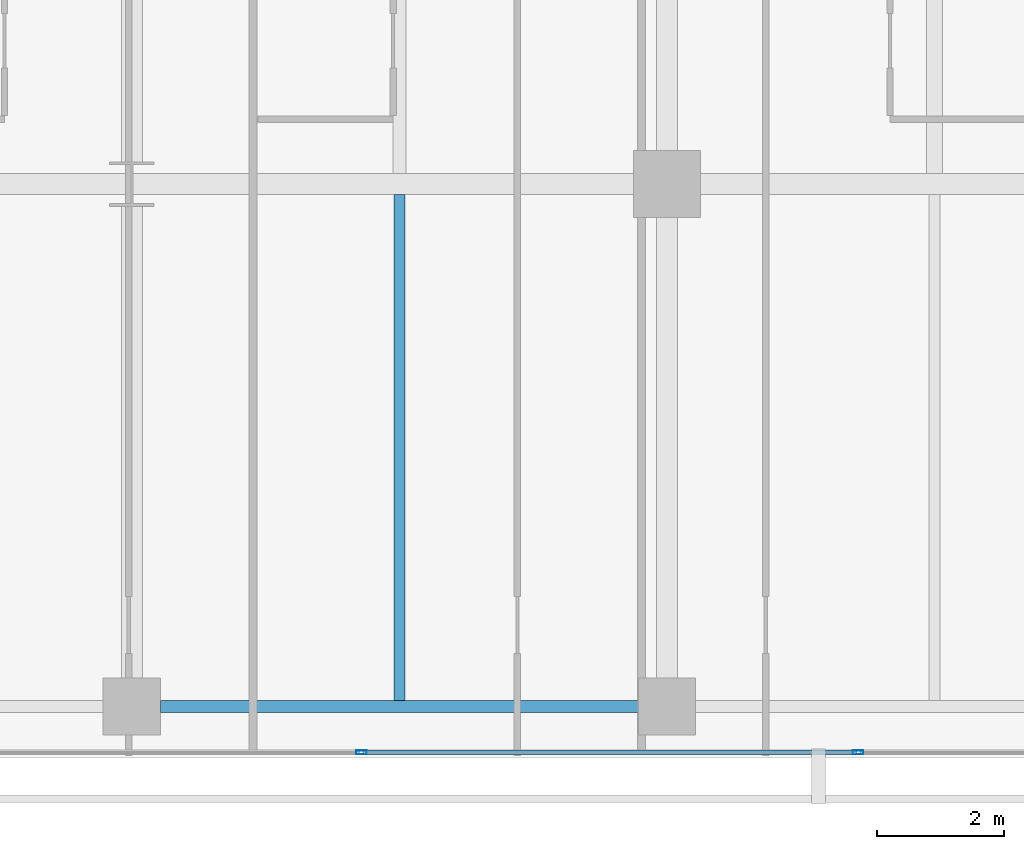
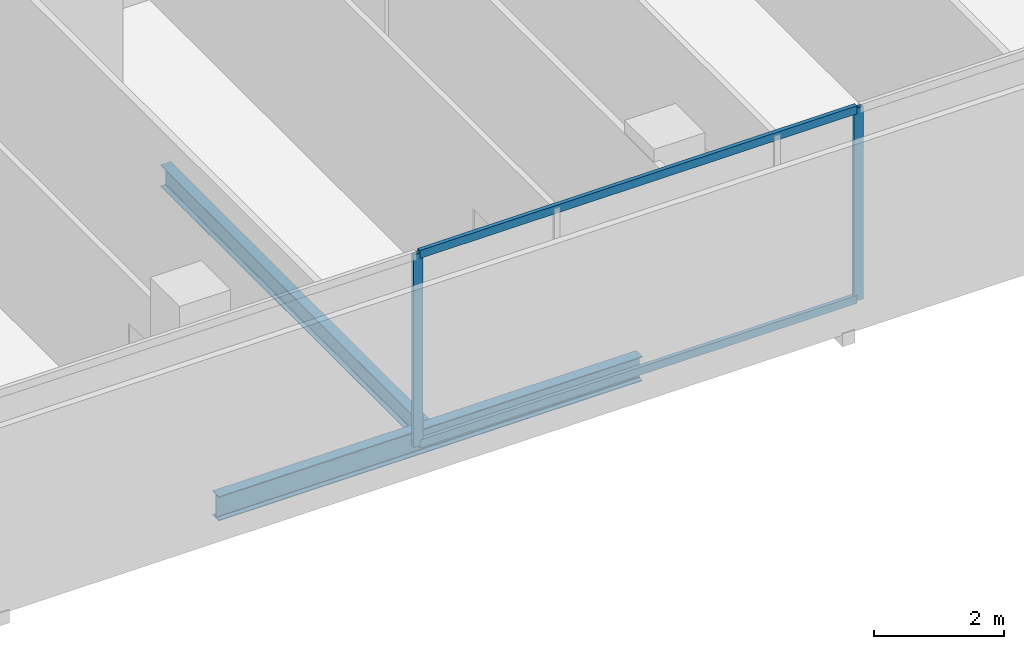
# One storey, part 14 of 40: 4 members, 2 beams, 1 element without a shape of its own.
"""IFC4 building model written with IfcOpenShell, lengths in metres."""

from ifc_helpers import new_model, si_unit, direction, frame, origin, origin_2d, place, context, subcontext, project, spatial, hollow_rectangle, i_section, extrude, material, layer, layer_set, material_profile, profile_set, type_object, element, aggregate, save


model = new_model("IFC4")

# Units and contexts
model_context = context("Model", 3, precision=1e-05, world=origin(), true_north=direction((0.0, 1.0)))
body_context = subcontext(model_context, "Body", "Model", "MODEL_VIEW")
ifc_project = project(units=[si_unit("LENGTHUNIT", "METRE"), si_unit("AREAUNIT", "SQUARE_METRE"), si_unit("VOLUMEUNIT", "CUBIC_METRE"), si_unit("PLANEANGLEUNIT", "RADIAN"), si_unit("MASSUNIT", "GRAM", prefix="KILO")], contexts=[model_context])

# Site, building, storey
site_placement = place(None, origin())
site = spatial("IfcSite", under=ifc_project, at=site_placement, CompositionType="ELEMENT")
building_placement = place(site_placement, origin())
building = spatial("IfcBuilding", under=site, at=building_placement, Name="Maruvema Waterfront Hotel and Observation Tower", CompositionType="ELEMENT")
storey_placement = place(building_placement, frame((0.0, 0.0, 30.800048828125)))
storey = spatial("IfcBuildingStorey", under=building, at=storey_placement, Name="L06", CompositionType="ELEMENT", Elevation=30.800048828125)

# Curtain wall, members
ifc_material_1 = material(Name="Anodised bronze aluminium and solar-control low-E IGU", Category="aluminium")
ifc_layer = layer(ifc_material_1, 0.159912109375, Name="Zone 1 Bronze Inner Thermal Curtain Wall System CW-02")
ifc_layer_set = layer_set([ifc_layer], Name="Anodised bronze aluminium and solar-control low-E IGU")
curtain_wall_type = type_object("IfcCurtainWallType", Name="Zone 1 Bronze Inner Thermal Curtain Wall System CW-02", PredefinedType="USERDEFINED", material=ifc_layer_set)
curtain_wall_placement = place(storey_placement, origin())
curtain_wall = element("IfcCurtainWall", 1, at=curtain_wall_placement, inside=storey, type_object=curtain_wall_type, Name="L06 Curtain Wall CW-L06-S", ObjectType="UNITISED CURTAIN WALL", PredefinedType="USERDEFINED")
ifc_material_2 = material(Name="Anodised architectural bronze aluminium", Category="aluminium")
ifc_material_profile_1 = material_profile(ifc_material_2, hollow_rectangle(XDim=0.070068359375, YDim=0.14990234375, WallThickness=0.00390625, at=origin_2d()), Name="ALU-T70x150")
ifc_profile_set_1 = profile_set([ifc_material_profile_1], Name="Anodised architectural bronze aluminium")
member_type_1 = type_object("IfcMemberType", Name="Curtain Wall Horizontal Transom ALU-T70x150", PredefinedType="USERDEFINED", material=ifc_profile_set_1)
member_1_placement = place(storey_placement, frame((45.6298828125, 0.080078125, 0.030029296875), z_axis=(1.0, 0.0, 0.0), x_axis=(0.0, 1.0, 0.0)))
member_1 = element("IfcMember", 2, at=member_1_placement, type_object=member_type_1, Name="CW-02 transom 5.1", ObjectType="TRANSOM", PredefinedType="USERDEFINED", context=body_context, shape_type="SweptSolid", body=[
    extrude(hollow_rectangle(XDim=0.070068359375, YDim=0.14990234375, WallThickness=0.00390625, at=origin_2d()), origin(), (0.0, 0.0, 1.0), 7.740234375),
])
member_2_placement = place(storey_placement, frame((45.6298828125, 0.080078125, 3.579833984375), z_axis=(1.0, 0.0, 0.0), x_axis=(0.0, 1.0, 0.0)))
member_2 = element("IfcMember", 3, at=member_2_placement, type_object=member_type_1, Name="CW-02 transom 5.2", ObjectType="TRANSOM", PredefinedType="USERDEFINED", context=body_context, shape_type="SweptSolid", body=[
    extrude(hollow_rectangle(XDim=0.070068359375, YDim=0.14990234375, WallThickness=0.00390625, at=origin_2d()), origin(), (0.0, 0.0, 1.0), 7.740234375),
])
ifc_material_3 = material(Name="Anodised architectural bronze aluminium", Category="aluminium")
ifc_material_profile_2 = material_profile(ifc_material_3, hollow_rectangle(XDim=0.06494140625, YDim=0.1650390625, WallThickness=0.00390625, at=origin_2d()), Name="ALU-M65x165")
ifc_profile_set_2 = profile_set([ifc_material_profile_2], Name="Anodised architectural bronze aluminium")
member_type_2 = type_object("IfcMemberType", Name="Curtain Wall Primary Mullion ALU-M65x165", PredefinedType="MULLION", material=ifc_profile_set_2)
member_3_placement = place(storey_placement, frame((45.60009765625, 0.080078125, 0.0), z_axis=(0.0, 0.0, 1.0), x_axis=(0.0, 1.0, 0.0)))
member_3 = element("IfcMember", 4, at=member_3_placement, type_object=member_type_2, Name="CW-02 mullion 5", PredefinedType="MULLION", context=body_context, shape_type="SweptSolid", body=[
    extrude(hollow_rectangle(XDim=0.06494140625, YDim=0.1650390625, WallThickness=0.00390625, at=origin_2d()), origin(), (0.0, 0.0, 1.0), 3.60986328125),
])
member_4_placement = place(storey_placement, frame((53.39990234375, 0.080078125, 0.0), z_axis=(0.0, 0.0, 1.0), x_axis=(0.0, 1.0, 0.0)))
member_4 = element("IfcMember", 5, at=member_4_placement, type_object=member_type_2, Name="CW-02 mullion 6", PredefinedType="MULLION", context=body_context, shape_type="SweptSolid", body=[
    extrude(hollow_rectangle(XDim=0.06494140625, YDim=0.1650390625, WallThickness=0.00390625, at=origin_2d()), origin(), (0.0, 0.0, 1.0), 3.60986328125),
])
aggregate(curtain_wall, [member_3, member_4, member_1, member_2])

# Beams
ifc_material_4 = material(Name="Steel ASTM A572 Grade 50", Category="steel")
ifc_material_profile_3 = material_profile(ifc_material_4, i_section(OverallWidth=0.18994140625, OverallDepth=0.45703125, WebThickness=0.009033203125, FlangeThickness=0.014404296875, FilletRadius=0.014892578125, at=origin_2d()), Name="W460x74.0")
ifc_profile_set_3 = profile_set([ifc_material_profile_3], Name="Steel ASTM A572 Grade 50")
beam_type_1 = type_object("IfcBeamType", Name="Perimeter Spandrel Beam W460x74.0", PredefinedType="SPANDREL", material=ifc_profile_set_3)
beam_1_placement = place(storey_placement, frame((42.449951171875, 0.800048828125, -0.468505859375), z_axis=(1.0, 0.0, 0.0), x_axis=(0.0, 1.0, 0.0)))
element("IfcBeam", 6, at=beam_1_placement, inside=storey, type_object=beam_type_1, Name="L06 Floor Girder EW-04", PredefinedType="SPANDREL", context=body_context, shape_type="SweptSolid", body=[
    extrude(i_section(OverallWidth=0.18994140625, OverallDepth=0.45703125, WebThickness=0.009033203125, FlangeThickness=0.014404296875, FilletRadius=0.014892578125, at=origin_2d()), origin(), (0.0, 0.0, 1.0), 7.5),
])
ifc_material_5 = material(Name="Steel ASTM A572 Grade 50", Category="steel")
ifc_material_profile_4 = material_profile(ifc_material_5, i_section(OverallWidth=0.177001953125, OverallDepth=0.403076171875, WebThickness=0.007568359375, FlangeThickness=0.010986328125, FilletRadius=0.014892578125, at=origin_2d()), Name="W410x53.0")
ifc_profile_set_4 = profile_set([ifc_material_profile_4], Name="Steel ASTM A572 Grade 50")
beam_type_2 = type_object("IfcBeamType", Name="Secondary Floor Joist W410x53.0", PredefinedType="JOIST", material=ifc_profile_set_4)
beam_2_placement = place(storey_placement, frame((46.199951171875, 0.89501953125, -0.441650390625), z_axis=(0.0, 1.0, 0.0), x_axis=(-1.0, 0.0, 0.0)))
element("IfcBeam", 7, at=beam_2_placement, inside=storey, type_object=beam_type_2, Name="L06 Secondary Floor Joist JS-14", PredefinedType="JOIST", context=body_context, shape_type="SweptSolid", body=[
    extrude(i_section(OverallWidth=0.177001953125, OverallDepth=0.403076171875, WebThickness=0.007568359375, FlangeThickness=0.010986328125, FilletRadius=0.014892578125, at=origin_2d()), origin(), (0.0, 0.0, 1.0), 7.9404296875),
])

save(model, "model.ifc")
